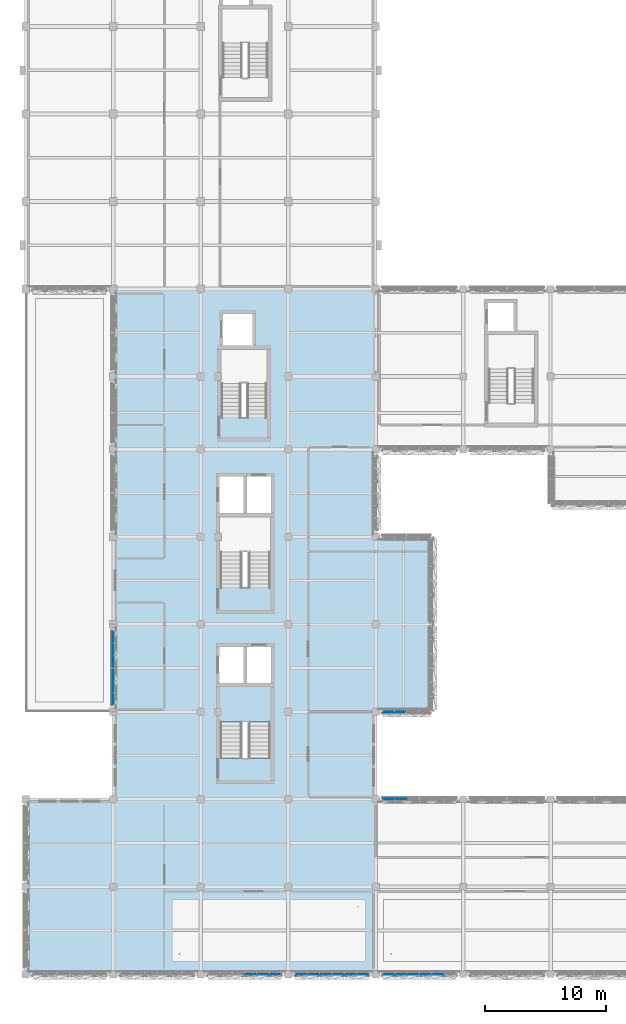
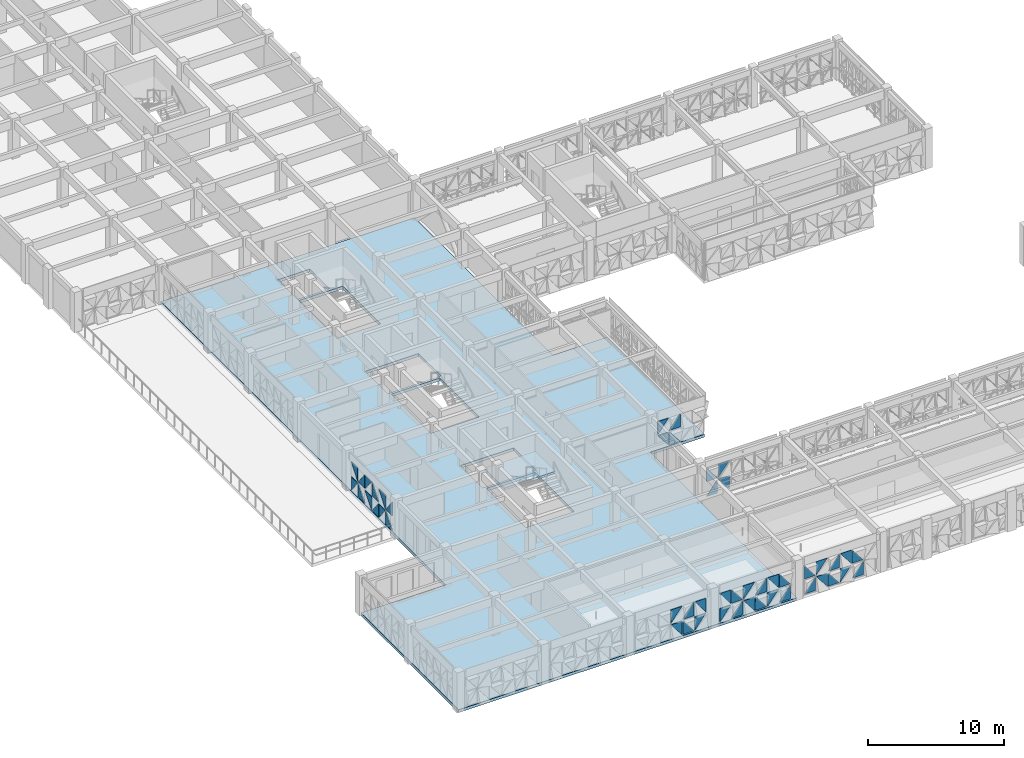
# One storey, part 30 of 85: 48 plates, 2 slabs, 7 elements without a shape of their own.
"""IFC4 building model written with IfcOpenShell, lengths in metres."""

from ifc_helpers import new_model, si_unit, direction, frame, origin, place, context, subcontext, project, spatial, polyline, outline, extrude, material, layer, layer_set, type_object, element, aggregate, save


model = new_model("IFC4")

# Units and contexts
model_context = context("Model", 3, precision=1e-05, world=origin(), true_north=direction((0.0, 1.0)))
body_context = subcontext(model_context, "Body", "Model", "MODEL_VIEW")
ifc_project = project(units=[si_unit("LENGTHUNIT", "METRE"), si_unit("AREAUNIT", "SQUARE_METRE"), si_unit("VOLUMEUNIT", "CUBIC_METRE"), si_unit("PLANEANGLEUNIT", "RADIAN"), si_unit("MASSUNIT", "GRAM", prefix="KILO")], contexts=[model_context])

# Site, building, storey
site_placement = place(None, origin())
site = spatial("IfcSite", under=ifc_project, at=site_placement, CompositionType="ELEMENT")
building_placement = place(site_placement, origin())
building = spatial("IfcBuilding", under=site, at=building_placement, Name="Alvorim Cloister Faculty of Sciences", CompositionType="ELEMENT")
storey_placement = place(building_placement, frame((0.0, 0.0, 8.550048828125)))
storey = spatial("IfcBuildingStorey", under=building, at=storey_placement, Name="L02", CompositionType="ELEMENT", Elevation=8.550048828125)

# Curtain wall, plates
ifc_material_1 = material(Name="Aluminium and Low-E Glass Curtain Wall", Category="aluminium")
curtain_wall_type_1 = type_object("IfcCurtainWallType", Name="CW-TRI-6120x2850", PredefinedType="USERDEFINED", material=ifc_material_1)
curtain_wall_1_placement = place(storey_placement, origin())
curtain_wall_1 = element("IfcCurtainWall", 1, at=curtain_wall_1_placement, inside=storey, type_object=curtain_wall_type_1, Name="L02 Diagonal Cassette Curtain Wall CW-0051", ObjectType="UNITISED CURTAIN WALL", PredefinedType="USERDEFINED")
ifc_material_2 = material(Name="Double Low-E Laminated Glass", Category="glass")
ifc_layer_1 = layer(ifc_material_2, 0.0400390625)
ifc_layer_set_1 = layer_set([ifc_layer_1], Name="Double Low-E Laminated Glass")
plate_type = type_object("IfcPlateType", Name="PN-GLZ-40", PredefinedType="CURTAIN_PANEL", material=ifc_layer_set_1)
plate_1_placement = place(storey_placement, frame((7.175048828125, 22.205078125, 0.139892578125), z_axis=(0.0, 0.0, 1.0), x_axis=(0.0, 1.0, 0.0)))
plate_1 = element("IfcPlate", 2, at=plate_1_placement, type_object=plate_type, Name="Diagonal Glazed Triangle TRI-BR", PredefinedType="CURTAIN_PANEL", context=body_context, shape_type="SweptSolid", body=[
    extrude(outline(polyline([(0.001953125, 0.0), (0.922607421875, 0.0), (0.922607421875, 1.213134765625), (0.001953125, 0.0)])), frame((0.0, 0.02490234375, 0.0), z_axis=(0.0, -1.0, 0.0), x_axis=(1.0, 0.0, 0.0)), (0.0, 0.0, 1.0), 0.050048828125),
])
plate_2_placement = place(storey_placement, frame((7.175048828125, 22.205078125, 1.494873046875), z_axis=(0.0, 0.0, 1.0), x_axis=(0.0, 1.0, 0.0)))
plate_2 = element("IfcPlate", 3, at=plate_2_placement, type_object=plate_type, Name="Diagonal Glazed Triangle TRI-BL", PredefinedType="CURTAIN_PANEL", context=body_context, shape_type="SweptSolid", body=[
    extrude(outline(polyline([(0.0, 0.0), (0.920654296875, 0.0), (0.0, 1.213134765625), (0.0, 0.0)])), frame((0.0, 0.02490234375, 0.0), z_axis=(0.0, -1.0, 0.0), x_axis=(1.0, 0.0, 0.0)), (0.0, 0.0, 1.0), 0.050048828125),
])
plate_3_placement = place(storey_placement, frame((7.175048828125, 23.1923828125, 0.139892578125), z_axis=(0.0, 0.0, 1.0), x_axis=(0.0, 1.0, 0.0)))
plate_3 = element("IfcPlate", 4, at=plate_3_placement, type_object=plate_type, Name="Diagonal Glazed Triangle TRI-TR", PredefinedType="CURTAIN_PANEL", context=body_context, shape_type="SweptSolid", body=[
    extrude(outline(polyline([(0.955078125, 0.001953125), (0.955078125, 1.215087890625), (0.001953125, 1.215087890625), (0.955078125, 0.001953125)])), frame((0.0, 0.02490234375, 0.0), z_axis=(0.0, -1.0, 0.0), x_axis=(1.0, 0.0, 0.0)), (0.0, 0.0, 1.0), 0.050048828125),
])
plate_4_placement = place(storey_placement, frame((7.175048828125, 23.1923828125, 1.494873046875), z_axis=(0.0, 0.0, 1.0), x_axis=(0.0, 1.0, 0.0)))
plate_4 = element("IfcPlate", 5, at=plate_4_placement, type_object=plate_type, Name="Diagonal Glazed Triangle TRI-TL", PredefinedType="CURTAIN_PANEL", context=body_context, shape_type="SweptSolid", body=[
    extrude(outline(polyline([(0.953125, 1.215087890625), (0.0, 1.215087890625), (0.0, 0.001953125), (0.953125, 1.215087890625)])), frame((0.0, 0.02490234375, 0.0), z_axis=(0.0, -1.0, 0.0), x_axis=(1.0, 0.0, 0.0)), (0.0, 0.0, 1.0), 0.050048828125),
])
plate_5_placement = place(storey_placement, frame((7.175048828125, 24.21240234375, 0.139892578125), z_axis=(0.0, 0.0, 1.0), x_axis=(0.0, 1.0, 0.0)))
plate_5 = element("IfcPlate", 6, at=plate_5_placement, type_object=plate_type, Name="Diagonal Glazed Triangle TRI-BL", PredefinedType="CURTAIN_PANEL", context=body_context, shape_type="SweptSolid", body=[
    extrude(outline(polyline([(0.0, 0.0), (0.953125, 0.0), (0.0, 1.213134765625), (0.0, 0.0)])), frame((0.0, 0.02490234375, 0.0), z_axis=(0.0, -1.0, 0.0), x_axis=(1.0, 0.0, 0.0)), (0.0, 0.0, 1.0), 0.050048828125),
])
plate_6_placement = place(storey_placement, frame((7.175048828125, 24.21240234375, 1.494873046875), z_axis=(0.0, 0.0, 1.0), x_axis=(0.0, 1.0, 0.0)))
plate_6 = element("IfcPlate", 7, at=plate_6_placement, type_object=plate_type, Name="Diagonal Glazed Triangle TRI-BR", PredefinedType="CURTAIN_PANEL", context=body_context, shape_type="SweptSolid", body=[
    extrude(outline(polyline([(0.001953125, 0.0), (0.955078125, 0.0), (0.955078125, 1.213134765625), (0.001953125, 0.0)])), frame((0.0, 0.02490234375, 0.0), z_axis=(0.0, -1.0, 0.0), x_axis=(1.0, 0.0, 0.0)), (0.0, 0.0, 1.0), 0.050048828125),
])
plate_7_placement = place(storey_placement, frame((7.175048828125, 25.232421875, 0.139892578125), z_axis=(0.0, 0.0, 1.0), x_axis=(0.0, 1.0, 0.0)))
plate_7 = element("IfcPlate", 8, at=plate_7_placement, type_object=plate_type, Name="Diagonal Glazed Triangle TRI-TL", PredefinedType="CURTAIN_PANEL", context=body_context, shape_type="SweptSolid", body=[
    extrude(outline(polyline([(0.953125, 1.215087890625), (0.0, 1.215087890625), (0.0, 0.001953125), (0.953125, 1.215087890625)])), frame((0.0, 0.02490234375, 0.0), z_axis=(0.0, -1.0, 0.0), x_axis=(1.0, 0.0, 0.0)), (0.0, 0.0, 1.0), 0.050048828125),
])
plate_8_placement = place(storey_placement, frame((7.175048828125, 25.232421875, 1.494873046875), z_axis=(0.0, 0.0, 1.0), x_axis=(0.0, 1.0, 0.0)))
plate_8 = element("IfcPlate", 9, at=plate_8_placement, type_object=plate_type, Name="Diagonal Glazed Triangle TRI-TR", PredefinedType="CURTAIN_PANEL", context=body_context, shape_type="SweptSolid", body=[
    extrude(outline(polyline([(0.955078125, 0.001953125), (0.955078125, 1.215087890625), (0.001953125, 1.215087890625), (0.955078125, 0.001953125)])), frame((0.0, 0.02490234375, 0.0), z_axis=(0.0, -1.0, 0.0), x_axis=(1.0, 0.0, 0.0)), (0.0, 0.0, 1.0), 0.050048828125),
])
plate_9_placement = place(storey_placement, frame((7.175048828125, 26.25244140625, 0.139892578125), z_axis=(0.0, 0.0, 1.0), x_axis=(0.0, 1.0, 0.0)))
plate_9 = element("IfcPlate", 10, at=plate_9_placement, type_object=plate_type, Name="Diagonal Glazed Triangle TRI-BR", PredefinedType="CURTAIN_PANEL", context=body_context, shape_type="SweptSolid", body=[
    extrude(outline(polyline([(0.001953125, 0.0), (0.955078125, 0.0), (0.955078125, 1.213134765625), (0.001953125, 0.0)])), frame((0.0, 0.02490234375, 0.0), z_axis=(0.0, -1.0, 0.0), x_axis=(1.0, 0.0, 0.0)), (0.0, 0.0, 1.0), 0.050048828125),
])
plate_10_placement = place(storey_placement, frame((7.175048828125, 26.25244140625, 1.494873046875), z_axis=(0.0, 0.0, 1.0), x_axis=(0.0, 1.0, 0.0)))
plate_10 = element("IfcPlate", 11, at=plate_10_placement, type_object=plate_type, Name="Diagonal Glazed Triangle TRI-BL", PredefinedType="CURTAIN_PANEL", context=body_context, shape_type="SweptSolid", body=[
    extrude(outline(polyline([(0.0, 0.0), (0.953125, 0.0), (0.0, 1.213134765625), (0.0, 0.0)])), frame((0.0, 0.02490234375, 0.0), z_axis=(0.0, -1.0, 0.0), x_axis=(1.0, 0.0, 0.0)), (0.0, 0.0, 1.0), 0.050048828125),
])
plate_11_placement = place(storey_placement, frame((7.175048828125, 27.2724609375, 0.139892578125), z_axis=(0.0, 0.0, 1.0), x_axis=(0.0, 1.0, 0.0)))
plate_11 = element("IfcPlate", 12, at=plate_11_placement, type_object=plate_type, Name="Diagonal Glazed Triangle TRI-TR", PredefinedType="CURTAIN_PANEL", context=body_context, shape_type="SweptSolid", body=[
    extrude(outline(polyline([(0.922607421875, 0.001953125), (0.922607421875, 1.215087890625), (0.001953125, 1.215087890625), (0.922607421875, 0.001953125)])), frame((0.0, 0.02490234375, 0.0), z_axis=(0.0, -1.0, 0.0), x_axis=(1.0, 0.0, 0.0)), (0.0, 0.0, 1.0), 0.050048828125),
])
plate_12_placement = place(storey_placement, frame((7.175048828125, 27.2724609375, 1.494873046875), z_axis=(0.0, 0.0, 1.0), x_axis=(0.0, 1.0, 0.0)))
plate_12 = element("IfcPlate", 13, at=plate_12_placement, type_object=plate_type, Name="Diagonal Glazed Triangle TRI-TL", PredefinedType="CURTAIN_PANEL", context=body_context, shape_type="SweptSolid", body=[
    extrude(outline(polyline([(0.920654296875, 1.215087890625), (0.0, 1.215087890625), (0.0, 0.001953125), (0.920654296875, 1.215087890625)])), frame((0.0, 0.02490234375, 0.0), z_axis=(0.0, -1.0, 0.0), x_axis=(1.0, 0.0, 0.0)), (0.0, 0.0, 1.0), 0.050048828125),
])
aggregate(curtain_wall_1, [plate_1, plate_2, plate_3, plate_4, plate_5, plate_6, plate_7, plate_8, plate_9, plate_10, plate_11, plate_12])

curtain_wall_type_2 = type_object("IfcCurtainWallType", Name="CW-TRI-3980x2706", PredefinedType="USERDEFINED", material=ifc_material_1)
curtain_wall_2_placement = place(storey_placement, origin())
curtain_wall_2 = element("IfcCurtainWall", 14, at=curtain_wall_2_placement, inside=storey, type_object=curtain_wall_type_2, Name="L02 Diagonal Cassette Curtain Wall CW-0074", ObjectType="UNITISED CURTAIN WALL", PredefinedType="USERDEFINED")
plate_13_placement = place(storey_placement, frame((29.405029296875, 21.574951171875, 0.139892578125), z_axis=(0.0, 0.0, 1.0), x_axis=(1.0, 0.0, 0.0)))
plate_13 = element("IfcPlate", 15, at=plate_13_placement, type_object=plate_type, Name="Diagonal Glazed Triangle TRI-TR", PredefinedType="CURTAIN_PANEL", context=body_context, shape_type="SweptSolid", body=[
    extrude(outline(polyline([(0.8974609375, 0.001953125), (0.8974609375, 1.14306640625), (0.001953125, 1.14306640625), (0.8974609375, 0.001953125)])), frame((0.0, 0.02490234375, 0.0), z_axis=(0.0, -1.0, 0.0), x_axis=(1.0, 0.0, 0.0)), (0.0, 0.0, 1.0), 0.050048828125),
])
plate_14_placement = place(storey_placement, frame((29.405029296875, 21.574951171875, 1.4228515625), z_axis=(0.0, 0.0, 1.0), x_axis=(1.0, 0.0, 0.0)))
plate_14 = element("IfcPlate", 16, at=plate_14_placement, type_object=plate_type, Name="Diagonal Glazed Triangle TRI-TL", PredefinedType="CURTAIN_PANEL", context=body_context, shape_type="SweptSolid", body=[
    extrude(outline(polyline([(0.8955078125, 1.14306640625), (0.0, 1.14306640625), (0.0, 0.001953125), (0.8955078125, 1.14306640625)])), frame((0.0, 0.02490234375, 0.0), z_axis=(0.0, -1.0, 0.0), x_axis=(1.0, 0.0, 0.0)), (0.0, 0.0, 1.0), 0.050048828125),
])
plate_15_placement = place(storey_placement, frame((30.367431640625, 21.574951171875, 0.139892578125), z_axis=(0.0, 0.0, 1.0), x_axis=(1.0, 0.0, 0.0)))
plate_15 = element("IfcPlate", 17, at=plate_15_placement, type_object=plate_type, Name="Diagonal Glazed Triangle TRI-BL", PredefinedType="CURTAIN_PANEL", context=body_context, shape_type="SweptSolid", body=[
    extrude(outline(polyline([(0.0, 0.0), (0.927978515625, 0.0), (0.0, 1.14111328125), (0.0, 0.0)])), frame((0.0, 0.02490234375, 0.0), z_axis=(0.0, -1.0, 0.0), x_axis=(1.0, 0.0, 0.0)), (0.0, 0.0, 1.0), 0.050048828125),
])
plate_16_placement = place(storey_placement, frame((30.367431640625, 21.574951171875, 1.4228515625), z_axis=(0.0, 0.0, 1.0), x_axis=(1.0, 0.0, 0.0)))
plate_16 = element("IfcPlate", 18, at=plate_16_placement, type_object=plate_type, Name="Diagonal Glazed Triangle TRI-BR", PredefinedType="CURTAIN_PANEL", context=body_context, shape_type="SweptSolid", body=[
    extrude(outline(polyline([(0.001953125, 0.0), (0.929931640625, 0.0), (0.929931640625, 1.14111328125), (0.001953125, 0.0)])), frame((0.0, 0.02490234375, 0.0), z_axis=(0.0, -1.0, 0.0), x_axis=(1.0, 0.0, 0.0)), (0.0, 0.0, 1.0), 0.050048828125),
])
aggregate(curtain_wall_2, [plate_13, plate_14, plate_15, plate_16])

curtain_wall_3_placement = place(storey_placement, origin())
curtain_wall_3 = element("IfcCurtainWall", 19, at=curtain_wall_3_placement, inside=storey, type_object=curtain_wall_type_1, Name="L02 Diagonal Cassette Curtain Wall CW-0075", ObjectType="UNITISED CURTAIN WALL", PredefinedType="USERDEFINED")
plate_17_placement = place(storey_placement, frame((29.405029296875, 14.425048828125, 0.139892578125), z_axis=(0.0, 0.0, 1.0), x_axis=(1.0, 0.0, 0.0)))
plate_17 = element("IfcPlate", 20, at=plate_17_placement, type_object=plate_type, Name="Diagonal Glazed Triangle TRI-BR", PredefinedType="CURTAIN_PANEL", context=body_context, shape_type="SweptSolid", body=[
    extrude(outline(polyline([(0.001953125, 0.0), (0.922607421875, 0.0), (0.922607421875, 1.213134765625), (0.001953125, 0.0)])), frame((0.0, 0.02490234375, 0.0), z_axis=(0.0, -1.0, 0.0), x_axis=(1.0, 0.0, 0.0)), (0.0, 0.0, 1.0), 0.050048828125),
])
plate_18_placement = place(storey_placement, frame((29.405029296875, 14.425048828125, 1.494873046875), z_axis=(0.0, 0.0, 1.0), x_axis=(1.0, 0.0, 0.0)))
plate_18 = element("IfcPlate", 21, at=plate_18_placement, type_object=plate_type, Name="Diagonal Glazed Triangle TRI-BL", PredefinedType="CURTAIN_PANEL", context=body_context, shape_type="SweptSolid", body=[
    extrude(outline(polyline([(0.0, 0.0), (0.920654296875, 0.0), (0.0, 1.213134765625), (0.0, 0.0)])), frame((0.0, 0.02490234375, 0.0), z_axis=(0.0, -1.0, 0.0), x_axis=(1.0, 0.0, 0.0)), (0.0, 0.0, 1.0), 0.050048828125),
])
plate_19_placement = place(storey_placement, frame((30.392578125, 14.425048828125, 0.139892578125), z_axis=(0.0, 0.0, 1.0), x_axis=(1.0, 0.0, 0.0)))
plate_19 = element("IfcPlate", 22, at=plate_19_placement, type_object=plate_type, Name="Diagonal Glazed Triangle TRI-TR", PredefinedType="CURTAIN_PANEL", context=body_context, shape_type="SweptSolid", body=[
    extrude(outline(polyline([(0.955078125, 0.001953125), (0.955078125, 1.215087890625), (0.001953125, 1.215087890625), (0.955078125, 0.001953125)])), frame((0.0, 0.02490234375, 0.0), z_axis=(0.0, -1.0, 0.0), x_axis=(1.0, 0.0, 0.0)), (0.0, 0.0, 1.0), 0.050048828125),
])
plate_20_placement = place(storey_placement, frame((30.392578125, 14.425048828125, 1.494873046875), z_axis=(0.0, 0.0, 1.0), x_axis=(1.0, 0.0, 0.0)))
plate_20 = element("IfcPlate", 23, at=plate_20_placement, type_object=plate_type, Name="Diagonal Glazed Triangle TRI-TL", PredefinedType="CURTAIN_PANEL", context=body_context, shape_type="SweptSolid", body=[
    extrude(outline(polyline([(0.953125, 1.215087890625), (0.0, 1.215087890625), (0.0, 0.001953125), (0.953125, 1.215087890625)])), frame((0.0, 0.02490234375, 0.0), z_axis=(0.0, -1.0, 0.0), x_axis=(1.0, 0.0, 0.0)), (0.0, 0.0, 1.0), 0.050048828125),
])
aggregate(curtain_wall_3, [plate_17, plate_18, plate_19, plate_20])

curtain_wall_4_placement = place(storey_placement, origin())
curtain_wall_4 = element("IfcCurtainWall", 24, at=curtain_wall_4_placement, inside=storey, type_object=curtain_wall_type_1, Name="L02 Diagonal Cassette Curtain Wall CW-0083", ObjectType="UNITISED CURTAIN WALL", PredefinedType="USERDEFINED")
plate_21_placement = place(storey_placement, frame((29.405029296875, -0.02490234375, 0.139892578125), z_axis=(0.0, 0.0, 1.0), x_axis=(1.0, 0.0, 0.0)))
plate_21 = element("IfcPlate", 25, at=plate_21_placement, type_object=plate_type, Name="Diagonal Glazed Triangle TRI-BR", PredefinedType="CURTAIN_PANEL", context=body_context, shape_type="SweptSolid", body=[
    extrude(outline(polyline([(0.001953125, 0.0), (0.922607421875, 0.0), (0.922607421875, 1.213134765625), (0.001953125, 0.0)])), frame((0.0, 0.02490234375, 0.0), z_axis=(0.0, -1.0, 0.0), x_axis=(1.0, 0.0, 0.0)), (0.0, 0.0, 1.0), 0.050048828125),
])
plate_22_placement = place(storey_placement, frame((29.405029296875, -0.02490234375, 1.494873046875), z_axis=(0.0, 0.0, 1.0), x_axis=(1.0, 0.0, 0.0)))
plate_22 = element("IfcPlate", 26, at=plate_22_placement, type_object=plate_type, Name="Diagonal Glazed Triangle TRI-BL", PredefinedType="CURTAIN_PANEL", context=body_context, shape_type="SweptSolid", body=[
    extrude(outline(polyline([(0.0, 0.0), (0.920654296875, 0.0), (0.0, 1.213134765625), (0.0, 0.0)])), frame((0.0, 0.02490234375, 0.0), z_axis=(0.0, -1.0, 0.0), x_axis=(1.0, 0.0, 0.0)), (0.0, 0.0, 1.0), 0.050048828125),
])
plate_23_placement = place(storey_placement, frame((30.392578125, -0.02490234375, 0.139892578125), z_axis=(0.0, 0.0, 1.0), x_axis=(1.0, 0.0, 0.0)))
plate_23 = element("IfcPlate", 27, at=plate_23_placement, type_object=plate_type, Name="Diagonal Glazed Triangle TRI-TR", PredefinedType="CURTAIN_PANEL", context=body_context, shape_type="SweptSolid", body=[
    extrude(outline(polyline([(0.955078125, 0.001953125), (0.955078125, 1.215087890625), (0.001953125, 1.215087890625), (0.955078125, 0.001953125)])), frame((0.0, 0.02490234375, 0.0), z_axis=(0.0, -1.0, 0.0), x_axis=(1.0, 0.0, 0.0)), (0.0, 0.0, 1.0), 0.050048828125),
])
plate_24_placement = place(storey_placement, frame((30.392578125, -0.02490234375, 1.494873046875), z_axis=(0.0, 0.0, 1.0), x_axis=(1.0, 0.0, 0.0)))
plate_24 = element("IfcPlate", 28, at=plate_24_placement, type_object=plate_type, Name="Diagonal Glazed Triangle TRI-TL", PredefinedType="CURTAIN_PANEL", context=body_context, shape_type="SweptSolid", body=[
    extrude(outline(polyline([(0.953125, 1.215087890625), (0.0, 1.215087890625), (0.0, 0.001953125), (0.953125, 1.215087890625)])), frame((0.0, 0.02490234375, 0.0), z_axis=(0.0, -1.0, 0.0), x_axis=(1.0, 0.0, 0.0)), (0.0, 0.0, 1.0), 0.050048828125),
])
plate_25_placement = place(storey_placement, frame((31.41259765625, -0.02490234375, 0.139892578125), z_axis=(0.0, 0.0, 1.0), x_axis=(1.0, 0.0, 0.0)))
plate_25 = element("IfcPlate", 29, at=plate_25_placement, type_object=plate_type, Name="Diagonal Glazed Triangle TRI-BL", PredefinedType="CURTAIN_PANEL", context=body_context, shape_type="SweptSolid", body=[
    extrude(outline(polyline([(0.0, 0.0), (0.953125, 0.0), (0.0, 1.213134765625), (0.0, 0.0)])), frame((0.0, 0.02490234375, 0.0), z_axis=(0.0, -1.0, 0.0), x_axis=(1.0, 0.0, 0.0)), (0.0, 0.0, 1.0), 0.050048828125),
])
plate_26_placement = place(storey_placement, frame((31.41259765625, -0.02490234375, 1.494873046875), z_axis=(0.0, 0.0, 1.0), x_axis=(1.0, 0.0, 0.0)))
plate_26 = element("IfcPlate", 30, at=plate_26_placement, type_object=plate_type, Name="Diagonal Glazed Triangle TRI-BR", PredefinedType="CURTAIN_PANEL", context=body_context, shape_type="SweptSolid", body=[
    extrude(outline(polyline([(0.001953125, 0.0), (0.955078125, 0.0), (0.955078125, 1.213134765625), (0.001953125, 0.0)])), frame((0.0, 0.02490234375, 0.0), z_axis=(0.0, -1.0, 0.0), x_axis=(1.0, 0.0, 0.0)), (0.0, 0.0, 1.0), 0.050048828125),
])
plate_27_placement = place(storey_placement, frame((32.4326171875, -0.02490234375, 0.139892578125), z_axis=(0.0, 0.0, 1.0), x_axis=(1.0, 0.0, 0.0)))
plate_27 = element("IfcPlate", 31, at=plate_27_placement, type_object=plate_type, Name="Diagonal Glazed Triangle TRI-TL", PredefinedType="CURTAIN_PANEL", context=body_context, shape_type="SweptSolid", body=[
    extrude(outline(polyline([(0.953125, 1.215087890625), (0.0, 1.215087890625), (0.0, 0.001953125), (0.953125, 1.215087890625)])), frame((0.0, 0.02490234375, 0.0), z_axis=(0.0, -1.0, 0.0), x_axis=(1.0, 0.0, 0.0)), (0.0, 0.0, 1.0), 0.050048828125),
])
plate_28_placement = place(storey_placement, frame((32.4326171875, -0.02490234375, 1.494873046875), z_axis=(0.0, 0.0, 1.0), x_axis=(1.0, 0.0, 0.0)))
plate_28 = element("IfcPlate", 32, at=plate_28_placement, type_object=plate_type, Name="Diagonal Glazed Triangle TRI-TR", PredefinedType="CURTAIN_PANEL", context=body_context, shape_type="SweptSolid", body=[
    extrude(outline(polyline([(0.955078125, 0.001953125), (0.955078125, 1.215087890625), (0.001953125, 1.215087890625), (0.955078125, 0.001953125)])), frame((0.0, 0.02490234375, 0.0), z_axis=(0.0, -1.0, 0.0), x_axis=(1.0, 0.0, 0.0)), (0.0, 0.0, 1.0), 0.050048828125),
])
plate_29_placement = place(storey_placement, frame((33.452392578125, -0.02490234375, 0.139892578125), z_axis=(0.0, 0.0, 1.0), x_axis=(1.0, 0.0, 0.0)))
plate_29 = element("IfcPlate", 33, at=plate_29_placement, type_object=plate_type, Name="Diagonal Glazed Triangle TRI-BR", PredefinedType="CURTAIN_PANEL", context=body_context, shape_type="SweptSolid", body=[
    extrude(outline(polyline([(0.001953125, 0.0), (0.955078125, 0.0), (0.955078125, 1.213134765625), (0.001953125, 0.0)])), frame((0.0, 0.02490234375, 0.0), z_axis=(0.0, -1.0, 0.0), x_axis=(1.0, 0.0, 0.0)), (0.0, 0.0, 1.0), 0.050048828125),
])
plate_30_placement = place(storey_placement, frame((33.452392578125, -0.02490234375, 1.494873046875), z_axis=(0.0, 0.0, 1.0), x_axis=(1.0, 0.0, 0.0)))
plate_30 = element("IfcPlate", 34, at=plate_30_placement, type_object=plate_type, Name="Diagonal Glazed Triangle TRI-BL", PredefinedType="CURTAIN_PANEL", context=body_context, shape_type="SweptSolid", body=[
    extrude(outline(polyline([(0.0, 0.0), (0.953125, 0.0), (0.0, 1.213134765625), (0.0, 0.0)])), frame((0.0, 0.02490234375, 0.0), z_axis=(0.0, -1.0, 0.0), x_axis=(1.0, 0.0, 0.0)), (0.0, 0.0, 1.0), 0.050048828125),
])
aggregate(curtain_wall_4, [plate_21, plate_22, plate_23, plate_24, plate_25, plate_26, plate_27, plate_28, plate_29, plate_30])

curtain_wall_5_placement = place(storey_placement, origin())
curtain_wall_5 = element("IfcCurtainWall", 35, at=curtain_wall_5_placement, inside=storey, type_object=curtain_wall_type_1, Name="L02 Diagonal Cassette Curtain Wall CW-0084", ObjectType="UNITISED CURTAIN WALL", PredefinedType="USERDEFINED")
plate_31_placement = place(storey_placement, frame((22.205078125, -0.02490234375, 0.139892578125), z_axis=(0.0, 0.0, 1.0), x_axis=(1.0, 0.0, 0.0)))
plate_31 = element("IfcPlate", 36, at=plate_31_placement, type_object=plate_type, Name="Diagonal Glazed Triangle TRI-TL", PredefinedType="CURTAIN_PANEL", context=body_context, shape_type="SweptSolid", body=[
    extrude(outline(polyline([(0.920654296875, 1.215087890625), (0.0, 1.215087890625), (0.0, 0.001953125), (0.920654296875, 1.215087890625)])), frame((0.0, 0.02490234375, 0.0), z_axis=(0.0, -1.0, 0.0), x_axis=(1.0, 0.0, 0.0)), (0.0, 0.0, 1.0), 0.050048828125),
])
plate_32_placement = place(storey_placement, frame((22.205078125, -0.02490234375, 1.494873046875), z_axis=(0.0, 0.0, 1.0), x_axis=(1.0, 0.0, 0.0)))
plate_32 = element("IfcPlate", 37, at=plate_32_placement, type_object=plate_type, Name="Diagonal Glazed Triangle TRI-TR", PredefinedType="CURTAIN_PANEL", context=body_context, shape_type="SweptSolid", body=[
    extrude(outline(polyline([(0.922607421875, 0.001953125), (0.922607421875, 1.215087890625), (0.001953125, 1.215087890625), (0.922607421875, 0.001953125)])), frame((0.0, 0.02490234375, 0.0), z_axis=(0.0, -1.0, 0.0), x_axis=(1.0, 0.0, 0.0)), (0.0, 0.0, 1.0), 0.050048828125),
])
plate_33_placement = place(storey_placement, frame((23.1923828125, -0.02490234375, 0.139892578125), z_axis=(0.0, 0.0, 1.0), x_axis=(1.0, 0.0, 0.0)))
plate_33 = element("IfcPlate", 38, at=plate_33_placement, type_object=plate_type, Name="Diagonal Glazed Triangle TRI-BR", PredefinedType="CURTAIN_PANEL", context=body_context, shape_type="SweptSolid", body=[
    extrude(outline(polyline([(0.001953125, 0.0), (0.955078125, 0.0), (0.955078125, 1.213134765625), (0.001953125, 0.0)])), frame((0.0, 0.02490234375, 0.0), z_axis=(0.0, -1.0, 0.0), x_axis=(1.0, 0.0, 0.0)), (0.0, 0.0, 1.0), 0.050048828125),
])
plate_34_placement = place(storey_placement, frame((23.1923828125, -0.02490234375, 1.494873046875), z_axis=(0.0, 0.0, 1.0), x_axis=(1.0, 0.0, 0.0)))
plate_34 = element("IfcPlate", 39, at=plate_34_placement, type_object=plate_type, Name="Diagonal Glazed Triangle TRI-BL", PredefinedType="CURTAIN_PANEL", context=body_context, shape_type="SweptSolid", body=[
    extrude(outline(polyline([(0.0, 0.0), (0.953125, 0.0), (0.0, 1.213134765625), (0.0, 0.0)])), frame((0.0, 0.02490234375, 0.0), z_axis=(0.0, -1.0, 0.0), x_axis=(1.0, 0.0, 0.0)), (0.0, 0.0, 1.0), 0.050048828125),
])
plate_35_placement = place(storey_placement, frame((24.21240234375, -0.02490234375, 0.139892578125), z_axis=(0.0, 0.0, 1.0), x_axis=(1.0, 0.0, 0.0)))
plate_35 = element("IfcPlate", 40, at=plate_35_placement, type_object=plate_type, Name="Diagonal Glazed Triangle TRI-TR", PredefinedType="CURTAIN_PANEL", context=body_context, shape_type="SweptSolid", body=[
    extrude(outline(polyline([(0.955078125, 0.001953125), (0.955078125, 1.215087890625), (0.001953125, 1.215087890625), (0.955078125, 0.001953125)])), frame((0.0, 0.02490234375, 0.0), z_axis=(0.0, -1.0, 0.0), x_axis=(1.0, 0.0, 0.0)), (0.0, 0.0, 1.0), 0.050048828125),
])
plate_36_placement = place(storey_placement, frame((24.21240234375, -0.02490234375, 1.494873046875), z_axis=(0.0, 0.0, 1.0), x_axis=(1.0, 0.0, 0.0)))
plate_36 = element("IfcPlate", 41, at=plate_36_placement, type_object=plate_type, Name="Diagonal Glazed Triangle TRI-TL", PredefinedType="CURTAIN_PANEL", context=body_context, shape_type="SweptSolid", body=[
    extrude(outline(polyline([(0.953125, 1.215087890625), (0.0, 1.215087890625), (0.0, 0.001953125), (0.953125, 1.215087890625)])), frame((0.0, 0.02490234375, 0.0), z_axis=(0.0, -1.0, 0.0), x_axis=(1.0, 0.0, 0.0)), (0.0, 0.0, 1.0), 0.050048828125),
])
plate_37_placement = place(storey_placement, frame((25.232421875, -0.02490234375, 0.139892578125), z_axis=(0.0, 0.0, 1.0), x_axis=(1.0, 0.0, 0.0)))
plate_37 = element("IfcPlate", 42, at=plate_37_placement, type_object=plate_type, Name="Diagonal Glazed Triangle TRI-BL", PredefinedType="CURTAIN_PANEL", context=body_context, shape_type="SweptSolid", body=[
    extrude(outline(polyline([(0.0, 0.0), (0.953125, 0.0), (0.0, 1.213134765625), (0.0, 0.0)])), frame((0.0, 0.02490234375, 0.0), z_axis=(0.0, -1.0, 0.0), x_axis=(1.0, 0.0, 0.0)), (0.0, 0.0, 1.0), 0.050048828125),
])
plate_38_placement = place(storey_placement, frame((25.232421875, -0.02490234375, 1.494873046875), z_axis=(0.0, 0.0, 1.0), x_axis=(1.0, 0.0, 0.0)))
plate_38 = element("IfcPlate", 43, at=plate_38_placement, type_object=plate_type, Name="Diagonal Glazed Triangle TRI-BR", PredefinedType="CURTAIN_PANEL", context=body_context, shape_type="SweptSolid", body=[
    extrude(outline(polyline([(0.001953125, 0.0), (0.955078125, 0.0), (0.955078125, 1.213134765625), (0.001953125, 0.0)])), frame((0.0, 0.02490234375, 0.0), z_axis=(0.0, -1.0, 0.0), x_axis=(1.0, 0.0, 0.0)), (0.0, 0.0, 1.0), 0.050048828125),
])
plate_39_placement = place(storey_placement, frame((26.25244140625, -0.02490234375, 0.139892578125), z_axis=(0.0, 0.0, 1.0), x_axis=(1.0, 0.0, 0.0)))
plate_39 = element("IfcPlate", 44, at=plate_39_placement, type_object=plate_type, Name="Diagonal Glazed Triangle TRI-TL", PredefinedType="CURTAIN_PANEL", context=body_context, shape_type="SweptSolid", body=[
    extrude(outline(polyline([(0.953125, 1.215087890625), (0.0, 1.215087890625), (0.0, 0.001953125), (0.953125, 1.215087890625)])), frame((0.0, 0.02490234375, 0.0), z_axis=(0.0, -1.0, 0.0), x_axis=(1.0, 0.0, 0.0)), (0.0, 0.0, 1.0), 0.050048828125),
])
plate_40_placement = place(storey_placement, frame((26.25244140625, -0.02490234375, 1.494873046875), z_axis=(0.0, 0.0, 1.0), x_axis=(1.0, 0.0, 0.0)))
plate_40 = element("IfcPlate", 45, at=plate_40_placement, type_object=plate_type, Name="Diagonal Glazed Triangle TRI-TR", PredefinedType="CURTAIN_PANEL", context=body_context, shape_type="SweptSolid", body=[
    extrude(outline(polyline([(0.955078125, 0.001953125), (0.955078125, 1.215087890625), (0.001953125, 1.215087890625), (0.955078125, 0.001953125)])), frame((0.0, 0.02490234375, 0.0), z_axis=(0.0, -1.0, 0.0), x_axis=(1.0, 0.0, 0.0)), (0.0, 0.0, 1.0), 0.050048828125),
])
plate_41_placement = place(storey_placement, frame((27.2724609375, -0.02490234375, 0.139892578125), z_axis=(0.0, 0.0, 1.0), x_axis=(1.0, 0.0, 0.0)))
plate_41 = element("IfcPlate", 46, at=plate_41_placement, type_object=plate_type, Name="Diagonal Glazed Triangle TRI-BR", PredefinedType="CURTAIN_PANEL", context=body_context, shape_type="SweptSolid", body=[
    extrude(outline(polyline([(0.001953125, 0.0), (0.922607421875, 0.0), (0.922607421875, 1.213134765625), (0.001953125, 0.0)])), frame((0.0, 0.02490234375, 0.0), z_axis=(0.0, -1.0, 0.0), x_axis=(1.0, 0.0, 0.0)), (0.0, 0.0, 1.0), 0.050048828125),
])
plate_42_placement = place(storey_placement, frame((27.2724609375, -0.02490234375, 1.494873046875), z_axis=(0.0, 0.0, 1.0), x_axis=(1.0, 0.0, 0.0)))
plate_42 = element("IfcPlate", 47, at=plate_42_placement, type_object=plate_type, Name="Diagonal Glazed Triangle TRI-BL", PredefinedType="CURTAIN_PANEL", context=body_context, shape_type="SweptSolid", body=[
    extrude(outline(polyline([(0.0, 0.0), (0.920654296875, 0.0), (0.0, 1.213134765625), (0.0, 0.0)])), frame((0.0, 0.02490234375, 0.0), z_axis=(0.0, -1.0, 0.0), x_axis=(1.0, 0.0, 0.0)), (0.0, 0.0, 1.0), 0.050048828125),
])
aggregate(curtain_wall_5, [plate_31, plate_32, plate_33, plate_34, plate_35, plate_36, plate_37, plate_38, plate_39, plate_40, plate_41, plate_42])

curtain_wall_6_placement = place(storey_placement, origin())
curtain_wall_6 = element("IfcCurtainWall", 48, at=curtain_wall_6_placement, inside=storey, type_object=curtain_wall_type_1, Name="L02 Diagonal Cassette Curtain Wall CW-0085", ObjectType="UNITISED CURTAIN WALL", PredefinedType="USERDEFINED")
plate_43_placement = place(storey_placement, frame((18.032470703125, -0.02490234375, 0.139892578125), z_axis=(0.0, 0.0, 1.0), x_axis=(1.0, 0.0, 0.0)))
plate_43 = element("IfcPlate", 49, at=plate_43_placement, type_object=plate_type, Name="Diagonal Glazed Triangle TRI-TR", PredefinedType="CURTAIN_PANEL", context=body_context, shape_type="SweptSolid", body=[
    extrude(outline(polyline([(0.955078125, 0.001953125), (0.955078125, 1.215087890625), (0.001953125, 1.215087890625), (0.955078125, 0.001953125)])), frame((0.0, 0.02490234375, 0.0), z_axis=(0.0, -1.0, 0.0), x_axis=(1.0, 0.0, 0.0)), (0.0, 0.0, 1.0), 0.050048828125),
])
plate_44_placement = place(storey_placement, frame((18.032470703125, -0.02490234375, 1.494873046875), z_axis=(0.0, 0.0, 1.0), x_axis=(1.0, 0.0, 0.0)))
plate_44 = element("IfcPlate", 50, at=plate_44_placement, type_object=plate_type, Name="Diagonal Glazed Triangle TRI-TL", PredefinedType="CURTAIN_PANEL", context=body_context, shape_type="SweptSolid", body=[
    extrude(outline(polyline([(0.953125, 1.215087890625), (0.0, 1.215087890625), (0.0, 0.001953125), (0.953125, 1.215087890625)])), frame((0.0, 0.02490234375, 0.0), z_axis=(0.0, -1.0, 0.0), x_axis=(1.0, 0.0, 0.0)), (0.0, 0.0, 1.0), 0.050048828125),
])
plate_45_placement = place(storey_placement, frame((19.052490234375, -0.02490234375, 0.139892578125), z_axis=(0.0, 0.0, 1.0), x_axis=(1.0, 0.0, 0.0)))
plate_45 = element("IfcPlate", 51, at=plate_45_placement, type_object=plate_type, Name="Diagonal Glazed Triangle TRI-BL", PredefinedType="CURTAIN_PANEL", context=body_context, shape_type="SweptSolid", body=[
    extrude(outline(polyline([(0.0, 0.0), (0.953125, 0.0), (0.0, 1.213134765625), (0.0, 0.0)])), frame((0.0, 0.02490234375, 0.0), z_axis=(0.0, -1.0, 0.0), x_axis=(1.0, 0.0, 0.0)), (0.0, 0.0, 1.0), 0.050048828125),
])
plate_46_placement = place(storey_placement, frame((19.052490234375, -0.02490234375, 1.494873046875), z_axis=(0.0, 0.0, 1.0), x_axis=(1.0, 0.0, 0.0)))
plate_46 = element("IfcPlate", 52, at=plate_46_placement, type_object=plate_type, Name="Diagonal Glazed Triangle TRI-BR", PredefinedType="CURTAIN_PANEL", context=body_context, shape_type="SweptSolid", body=[
    extrude(outline(polyline([(0.001953125, 0.0), (0.955078125, 0.0), (0.955078125, 1.213134765625), (0.001953125, 0.0)])), frame((0.0, 0.02490234375, 0.0), z_axis=(0.0, -1.0, 0.0), x_axis=(1.0, 0.0, 0.0)), (0.0, 0.0, 1.0), 0.050048828125),
])
plate_47_placement = place(storey_placement, frame((20.072509765625, -0.02490234375, 0.139892578125), z_axis=(0.0, 0.0, 1.0), x_axis=(1.0, 0.0, 0.0)))
plate_47 = element("IfcPlate", 53, at=plate_47_placement, type_object=plate_type, Name="Diagonal Glazed Triangle TRI-TL", PredefinedType="CURTAIN_PANEL", context=body_context, shape_type="SweptSolid", body=[
    extrude(outline(polyline([(0.920654296875, 1.215087890625), (0.0, 1.215087890625), (0.0, 0.001953125), (0.920654296875, 1.215087890625)])), frame((0.0, 0.02490234375, 0.0), z_axis=(0.0, -1.0, 0.0), x_axis=(1.0, 0.0, 0.0)), (0.0, 0.0, 1.0), 0.050048828125),
])
plate_48_placement = place(storey_placement, frame((20.072509765625, -0.02490234375, 1.494873046875), z_axis=(0.0, 0.0, 1.0), x_axis=(1.0, 0.0, 0.0)))
plate_48 = element("IfcPlate", 54, at=plate_48_placement, type_object=plate_type, Name="Diagonal Glazed Triangle TRI-TR", PredefinedType="CURTAIN_PANEL", context=body_context, shape_type="SweptSolid", body=[
    extrude(outline(polyline([(0.922607421875, 0.001953125), (0.922607421875, 1.215087890625), (0.001953125, 1.215087890625), (0.922607421875, 0.001953125)])), frame((0.0, 0.02490234375, 0.0), z_axis=(0.0, -1.0, 0.0), x_axis=(1.0, 0.0, 0.0)), (0.0, 0.0, 1.0), 0.050048828125),
])
aggregate(curtain_wall_6, [plate_43, plate_44, plate_45, plate_46, plate_47, plate_48])

# Stair, slab
ifc_material_3 = material(Name="Concrete C40", Category="concrete")
stair_type = type_object("IfcStairType", Name="STR-ST-01-1780x3600", PredefinedType="HALF_TURN_STAIR", material=ifc_material_3)
stair_placement = place(storey_placement, origin())
stair = element("IfcStair", 55, at=stair_placement, inside=storey, type_object=stair_type, Name="L02 Enclosed Smoke-Proof Stair ST-01", PredefinedType="HALF_TURN_STAIR")
ifc_layer_2 = layer(ifc_material_3, 0.199951171875)
ifc_layer_set_2 = layer_set([ifc_layer_2], Name="Concrete C40")
slab_type_1 = type_object("IfcSlabType", Name="SL-LAND-200", PredefinedType="LANDING", material=ifc_layer_set_2)
slab_1_placement = place(storey_placement, frame((0.0, 0.0, 1.599853515625)))
slab_1 = element("IfcSlab", 56, at=slab_1_placement, type_object=slab_type_1, Name="ST-01 landing 1", PredefinedType="LANDING", context=body_context, shape_type="SweptSolid", body=[
    extrude(outline(polyline([(20.239990234375, 20.75), (20.239990234375, 23.719970703125), (15.8798828125, 23.719970703125), (15.8798828125, 20.75), (20.239990234375, 20.75)])), origin(), (0.0, 0.0, 1.0), 0.2001953125),
])
aggregate(stair, [slab_1])

# Slab
ifc_layer_3 = layer(ifc_material_3, 0.260009765625)
ifc_layer_set_3 = layer_set([ifc_layer_3], Name="Concrete C40")
slab_type_2 = type_object("IfcSlabType", Name="SL-RC-260", PredefinedType="FLOOR", material=ifc_layer_set_3)
slab_2_placement = place(storey_placement, frame((0.0, 0.0, -0.260009765625)))
element("IfcSlab", 57, at=slab_2_placement, inside=storey, type_object=slab_type_2, Name="L02 V5 Structural Slab 18", PredefinedType="FLOOR", context=body_context, shape_type="SweptSolid", body=[
    extrude(outline(polyline([(0.0048828125, 14.39501953125), (7.205078125, 14.39501953125), (7.205078125, 56.39501953125), (28.794921875, 56.39501953125), (28.794921875, 35.9951171875), (33.39501953125, 35.9951171875), (33.39501953125, 21.60498046875), (28.794921875, 21.60498046875), (28.794921875, 0.0048828125), (0.0048828125, 0.0048828125), (0.0048828125, 14.39501953125)]), holes=[polyline([(20.1201171875, 23.60009765625), (16.0, 23.60009765625), (16.0, 17.81005859375), (20.1201171875, 17.81005859375), (20.1201171875, 23.60009765625)]), polyline([(18.06005859375, 23.800048828125), (20.320068359375, 23.800048828125), (20.320068359375, 27.10009765625), (18.06005859375, 27.10009765625), (15.800048828125, 27.10009765625), (15.800048828125, 23.800048828125), (18.06005859375, 23.800048828125)]), polyline([(20.1201171875, 37.60009765625), (16.0, 37.60009765625), (16.0, 31.81005859375), (20.1201171875, 31.81005859375), (20.1201171875, 37.60009765625)]), polyline([(18.06005859375, 37.800048828125), (20.320068359375, 37.800048828125), (20.320068359375, 41.10009765625), (18.06005859375, 41.10009765625), (15.800048828125, 41.10009765625), (15.800048828125, 37.800048828125), (18.06005859375, 37.800048828125)]), polyline([(19.820068359375, 51.39990234375), (16.10009765625, 51.39990234375), (16.10009765625, 45.830078125), (19.820068359375, 45.830078125), (19.820068359375, 51.39990234375)]), polyline([(18.800048828125, 54.5), (16.10009765625, 54.5), (16.10009765625, 51.60009765625), (18.800048828125, 51.60009765625), (18.800048828125, 54.5)])]), origin(), (0.0, 0.0, 1.0), 0.260009765625),
])

save(model, "model.ifc")
